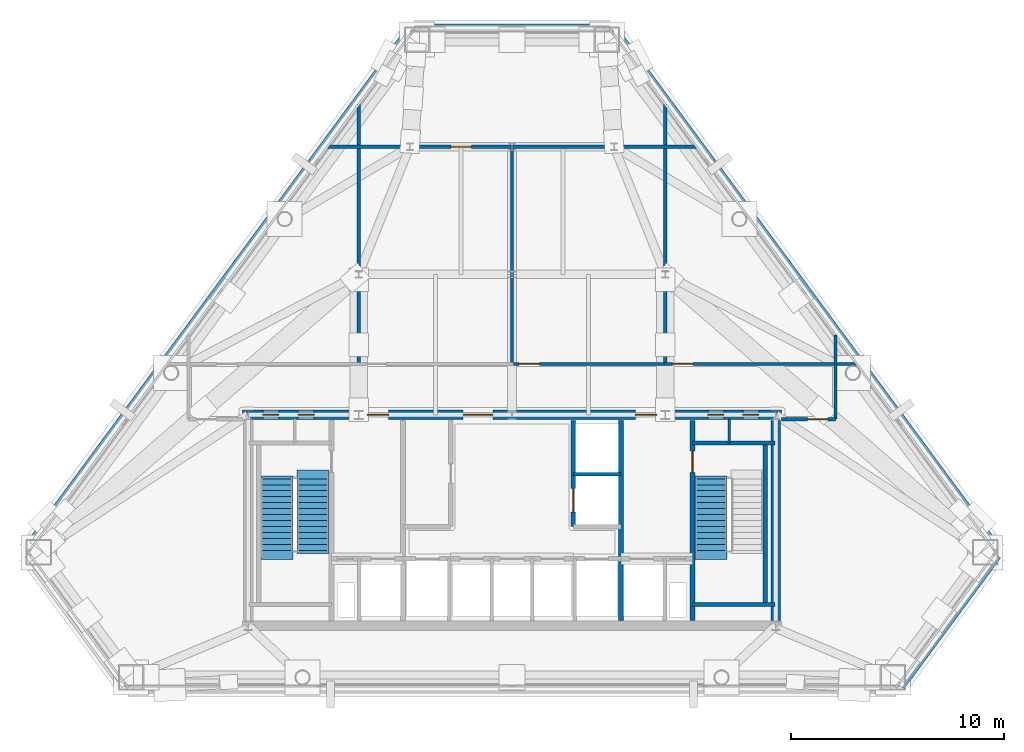
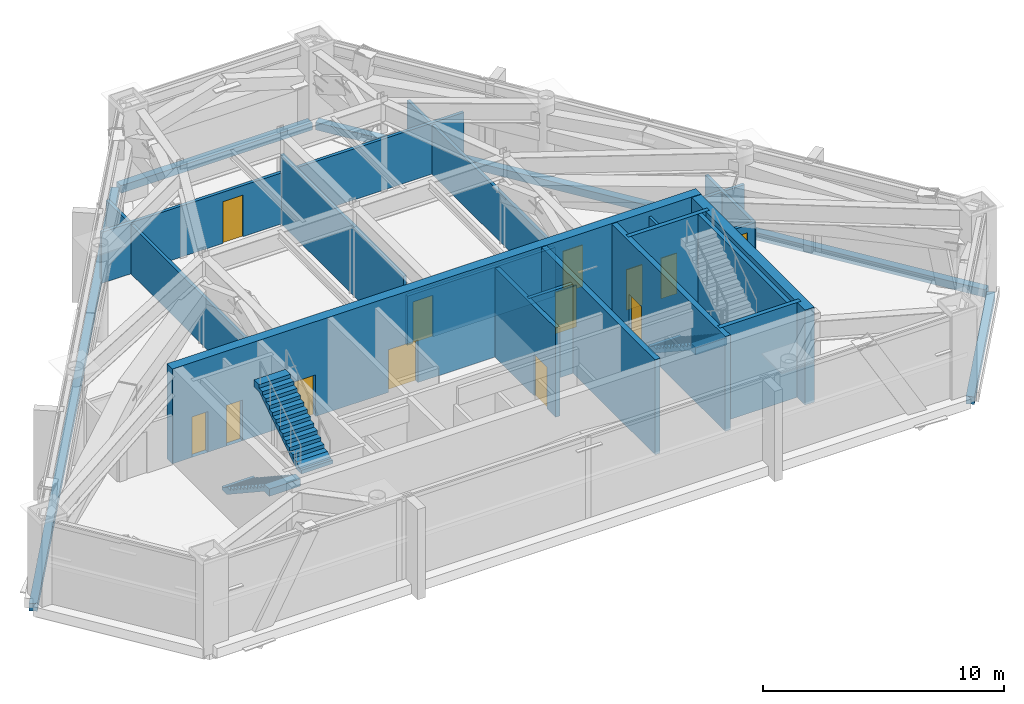
# One storey, part 7 of 10: 23 walls, 13 doors, 3 stair flights, 13 openings, 2 elements without a shape of their own.
"""IFC4 building model written with IfcOpenShell, lengths in metres."""

from ifc_helpers import new_model, si_unit, direction, frame, frame_2d, origin, place, context, subcontext, project, spatial, polyline, rectangle, outline, extrude, material, layer, layer_set, type_object, element, fill, aggregate, save


model = new_model("IFC4")

# Units and contexts
model_context = context("Model", 3, precision=1e-05, world=origin(), true_north=direction((0.0, 1.0)))
body_context = subcontext(model_context, "Body", "Model", "MODEL_VIEW")
ifc_project = project(units=[si_unit("LENGTHUNIT", "METRE"), si_unit("AREAUNIT", "SQUARE_METRE"), si_unit("VOLUMEUNIT", "CUBIC_METRE"), si_unit("PLANEANGLEUNIT", "RADIAN"), si_unit("MASSUNIT", "GRAM", prefix="KILO")], contexts=[model_context])

# Site, building, storey
site_placement = place(None, origin())
site = spatial("IfcSite", under=ifc_project, at=site_placement, CompositionType="ELEMENT")
building_placement = place(site_placement, origin())
building = spatial("IfcBuilding", under=site, at=building_placement, Name="Talgorran Terracotta Tower", CompositionType="ELEMENT")
storey_placement = place(building_placement, frame((0.0, 0.0, 168.89990234375)))
storey = spatial("IfcBuildingStorey", under=building, at=storey_placement, Name="L44", CompositionType="ELEMENT", Elevation=168.89990234375)

# Walls
ifc_material_1 = material(Name="Concrete C50/60", Category="concrete")
ifc_layer_1 = layer(ifc_material_1, 0.199951171875, Name="WT_CORE_200")
ifc_layer_set_1 = layer_set([ifc_layer_1], Name="Concrete C50/60")
wall_type_1 = type_object("IfcWallType", Name="WT_CORE_200", PredefinedType="SOLIDWALL", material=ifc_layer_set_1)
for number, where, z_axis, x_axis, name in (
    (1, (8.47998046875, -5.52001953125, 0.0), (0.0, 0.0, 1.0), (1.0, 0.0, 0.0), "WL-L44-CW-ST2-N"),
    (2, (8.47998046875, -13.10009765625, 0.0), (0.0, 0.0, 1.0), (1.0, 0.0, 0.0), "WL-L44-CW-ST2-S"),
):
    element("IfcWall", number, at=place(storey_placement, frame(where, z_axis=z_axis, x_axis=x_axis)), inside=storey, type_object=wall_type_1, Name=name, PredefinedType="SOLIDWALL", context=body_context, shape_type="SweptSolid", body=[
        extrude(rectangle(XDim=3.8701171875, YDim=0.199951171875, at=frame_2d((1.93505859375, 0.0))), origin(), (0.0, 0.0, 1.0), 4.800048828125),
    ])
wall_1_placement = place(storey_placement, frame((11.89990234375, -13.10009765625, 0.0), z_axis=(0.0, 0.0, 1.0), x_axis=(0.0, 1.0, 0.0)))
element("IfcWall", 3, at=wall_1_placement, inside=storey, type_object=wall_type_1, Name="WL-L44-CW-ST2-E", PredefinedType="SOLIDWALL", context=body_context, shape_type="SweptSolid", body=[
    extrude(rectangle(XDim=7.580078125, YDim=0.199951171875, at=frame_2d((3.7900390625, 0.0))), origin(), (0.0, 0.0, 1.0), 4.800048828125),
])

# Wall, opening, door
wall_2_placement = place(storey_placement, frame((2.8798828125, -9.449951171875, 0.0), z_axis=(0.0, 0.0, 1.0), x_axis=(0.0, 1.0, 0.0)))
wall_2 = element("IfcWall", 4, at=wall_2_placement, inside=storey, type_object=wall_type_1, Name="WL-L44-CW-V-E3", PredefinedType="SOLIDWALL", context=body_context, shape_type="SweptSolid", body=[
    extrude(rectangle(XDim=5.0, YDim=0.199951171875, at=frame_2d((2.5, 0.0))), origin(), (0.0, 0.0, 1.0), 4.52001953125),
])
opening_1_placement = place(wall_2_placement, frame((0.699951171875, 0.0, 0.0)))
opening_1 = element("IfcOpeningElement", 5, at=opening_1_placement, cuts=wall_2, Name="Opening LD-PLM1", PredefinedType="OPENING", context=body_context, shape_type="SweptSolid", body=[
    extrude(rectangle(XDim=1.10609765625, YDim=2.10409765625, at=frame_2d((0.550048828125, 1.052001953125))), frame((0.0, 0.10986328125, 0.0), z_axis=(0.0, -1.0, 0.0), x_axis=(1.0, 0.0, 0.0)), (0.0, 0.0, 1.0), 0.219970703125),
])
ifc_material_2 = material(Name="Brushed Stainless Steel Grade 304", Category="steel")
door_type_1 = type_object("IfcDoorType", Name="DT_LIFT_LD1100", OperationType="DOUBLE_DOOR_SLIDING", PredefinedType="DOOR", material=ifc_material_2)
door_1_placement = place(opening_1_placement, origin())
door_1 = element("IfcDoor", 6, at=door_1_placement, inside=storey, type_object=door_type_1, Name="L44 Lift Landing Door LD-PLM1", OperationType="DOUBLE_DOOR_SLIDING", OverallHeight=2.10009765625, OverallWidth=1.10009765625, PredefinedType="DOOR", context=body_context, shape_type="SweptSolid", body=[
    extrude(rectangle(XDim=1.10009765625, YDim=2.10009765625, at=frame_2d((0.550048828125, 1.050048828125))), frame((0.0, 0.02490234375, 0.0), z_axis=(0.0, -1.0, 0.0), x_axis=(1.0, 0.0, 0.0)), (0.0, 0.0, 1.0), 0.050048828125),
])
fill(opening_1, door_1)

ifc_layer_2 = layer(ifc_material_1, 0.25, Name="WT_CORE_250")
ifc_layer_set_2 = layer_set([ifc_layer_2], Name="Concrete C50/60")
wall_type_2 = type_object("IfcWallType", Name="WT_CORE_250", PredefinedType="SHEAR", material=ifc_layer_set_2)
wall_3_placement = place(storey_placement, frame((8.47998046875, -13.85009765625, 0.0), z_axis=(0.0, 0.0, 1.0), x_axis=(0.0, 1.0, 0.0)))
wall_3 = element("IfcWall", 7, at=wall_3_placement, inside=storey, type_object=wall_type_2, Name="WL-L44-CW-V-E1", PredefinedType="SHEAR", context=body_context, shape_type="SweptSolid", body=[
    extrude(rectangle(XDim=9.400146484375, YDim=0.25, at=frame_2d((4.7001953125, 0.0))), origin(), (0.0, 0.0, 1.0), 4.800048828125),
])
opening_2_placement = place(wall_3_placement, frame((6.949951171875, 0.0, 0.0)))
opening_2 = element("IfcOpeningElement", 8, at=opening_2_placement, cuts=wall_3, Name="Opening DR-ST02", PredefinedType="OPENING", context=body_context, shape_type="SweptSolid", body=[
    extrude(rectangle(XDim=1.006, YDim=2.10409765625, at=frame_2d((0.5, 1.052001953125))), frame((0.0, 0.135009765625, 0.0), z_axis=(0.0, -1.0, 0.0), x_axis=(1.0, 0.0, 0.0)), (0.0, 0.0, 1.0), 0.27001953125),
])
ifc_material_3 = material(Name="Fire-Rated Pressed Steel", Category="steel")
door_type_2 = type_object("IfcDoorType", Name="DT_FIRE_1000", OperationType="NOTDEFINED", PredefinedType="DOOR", material=ifc_material_3)
door_2_placement = place(opening_2_placement, origin())
door_2 = element("IfcDoor", 9, at=door_2_placement, inside=storey, type_object=door_type_2, Name="DR-ST02", OperationType="SINGLE_SWING_RIGHT", OverallHeight=2.10009765625, OverallWidth=1.0, PredefinedType="DOOR", context=body_context, shape_type="SweptSolid", body=[
    extrude(rectangle(XDim=1.0, YDim=2.10009765625, at=frame_2d((0.5, 1.050048828125))), frame((0.0, 0.02490234375, 0.0), z_axis=(0.0, -1.0, 0.0), x_axis=(1.0, 0.0, 0.0)), (0.0, 0.0, 1.0), 0.050048828125),
])
fill(opening_2, door_2)

# Wall
wall_4_placement = place(storey_placement, frame((5.1201171875, -13.85009765625, 0.0), z_axis=(0.0, 0.0, 1.0), x_axis=(0.0, 1.0, 0.0)))
element("IfcWall", 10, at=wall_4_placement, inside=storey, type_object=wall_type_2, Name="WL-L44-CW-V-E2", PredefinedType="SHEAR", context=body_context, shape_type="SweptSolid", body=[
    extrude(rectangle(XDim=9.400146484375, YDim=0.25, at=frame_2d((4.7001953125, 0.0))), origin(), (0.0, 0.0, 1.0), 4.800048828125),
])

# Wall, openings, doors
ifc_material_4 = material(Name="Concrete C65/80", Category="concrete")
ifc_layer_3 = layer(ifc_material_4, 0.449951171875, Name="WT_CORE_EXT")
ifc_layer_set_3 = layer_set([ifc_layer_3], Name="Concrete C65/80")
wall_type_3 = type_object("IfcWallType", Name="WT_CORE_EXT", PredefinedType="SHEAR", material=ifc_layer_set_3)
wall_5_placement = place(storey_placement, frame((-12.64990234375, -4.199951171875, 0.0), z_axis=(0.0, 0.0, 1.0), x_axis=(1.0, 0.0, 0.0)))
wall_5 = element("IfcWall", 11, at=wall_5_placement, inside=storey, type_object=wall_type_3, Name="WL-L44-CW-OUT-N", PredefinedType="SHEAR", context=body_context, shape_type="SweptSolid", body=[
    extrude(rectangle(XDim=25.2998046875, YDim=0.449951171875, at=frame_2d((12.64990234375, 0.0))), origin(), (0.0, 0.0, 1.0), 4.800048828125),
])
opening_3_placement = place(wall_5_placement, frame((0.949951171875, 0.0, 0.0)))
opening_3 = element("IfcOpeningElement", 12, at=opening_3_placement, cuts=wall_5, Name="Opening DR-CSN1", PredefinedType="OPENING", context=body_context, shape_type="SweptSolid", body=[
    extrude(rectangle(XDim=0.756, YDim=2.054048828125, at=frame_2d((0.375, 1.027099609375))), frame((0.0, 0.23486328125, 0.0), z_axis=(0.0, -1.0, 0.0), x_axis=(1.0, 0.0, 0.0)), (0.0, 0.0, 1.0), 0.469970703125),
])
opening_4_placement = place(wall_5_placement, frame((2.60009765625, 0.0, 0.0)))
opening_4 = element("IfcOpeningElement", 13, at=opening_4_placement, cuts=wall_5, Name="Opening DR-CSN2", PredefinedType="OPENING", context=body_context, shape_type="SweptSolid", body=[
    extrude(rectangle(XDim=0.756, YDim=2.054048828125, at=frame_2d((0.375, 1.027099609375))), frame((0.0, 0.23486328125, 0.0), z_axis=(0.0, -1.0, 0.0), x_axis=(1.0, 0.0, 0.0)), (0.0, 0.0, 1.0), 0.469970703125),
])
opening_5_placement = place(wall_5_placement, frame((21.85009765625, 0.0, 0.0)))
opening_5 = element("IfcOpeningElement", 14, at=opening_5_placement, cuts=wall_5, Name="Opening DR-CSN3", PredefinedType="OPENING", context=body_context, shape_type="SweptSolid", body=[
    extrude(rectangle(XDim=0.756, YDim=2.054048828125, at=frame_2d((0.375, 1.027099609375))), frame((0.0, 0.23486328125, 0.0), z_axis=(0.0, -1.0, 0.0), x_axis=(1.0, 0.0, 0.0)), (0.0, 0.0, 1.0), 0.469970703125),
])
opening_6_placement = place(wall_5_placement, frame((23.5, 0.0, 0.0)))
opening_6 = element("IfcOpeningElement", 15, at=opening_6_placement, cuts=wall_5, Name="Opening DR-CSN4", PredefinedType="OPENING", context=body_context, shape_type="SweptSolid", body=[
    extrude(rectangle(XDim=0.756, YDim=2.054048828125, at=frame_2d((0.375, 1.027099609375))), frame((0.0, 0.23486328125, 0.0), z_axis=(0.0, -1.0, 0.0), x_axis=(1.0, 0.0, 0.0)), (0.0, 0.0, 1.0), 0.469970703125),
])
opening_7_placement = place(wall_5_placement, frame((5.85009765625, 0.0, 0.0)))
opening_7 = element("IfcOpeningElement", 16, at=opening_7_placement, cuts=wall_5, Name="Opening DR-FFLW-N", PredefinedType="OPENING", context=body_context, shape_type="SweptSolid", body=[
    extrude(rectangle(XDim=1.006, YDim=2.10409765625, at=frame_2d((0.5, 1.052001953125))), frame((0.0, 0.23486328125, 0.0), z_axis=(0.0, -1.0, 0.0), x_axis=(1.0, 0.0, 0.0)), (0.0, 0.0, 1.0), 0.469970703125),
])
opening_8_placement = place(wall_5_placement, frame((10.35009765625, 0.0, 0.0)))
opening_8 = element("IfcOpeningElement", 17, at=opening_8_placement, cuts=wall_5, Name="Opening DR-PLL-N", PredefinedType="OPENING", context=body_context, shape_type="SweptSolid", body=[
    extrude(rectangle(XDim=1.40590234375, YDim=2.15390234375, at=frame_2d((0.699951171875, 1.076904296875))), frame((0.0, 0.23486328125, 0.0), z_axis=(0.0, -1.0, 0.0), x_axis=(1.0, 0.0, 0.0)), (0.0, 0.0, 1.0), 0.469970703125),
])
opening_9_placement = place(wall_5_placement, frame((18.449951171875, 0.0, 0.0)))
opening_9 = element("IfcOpeningElement", 18, at=opening_9_placement, cuts=wall_5, Name="Opening DR-FFLE-N", PredefinedType="OPENING", context=body_context, shape_type="SweptSolid", body=[
    extrude(rectangle(XDim=1.006, YDim=2.10409765625, at=frame_2d((0.5, 1.052001953125))), frame((0.0, 0.23486328125, 0.0), z_axis=(0.0, -1.0, 0.0), x_axis=(1.0, 0.0, 0.0)), (0.0, 0.0, 1.0), 0.469970703125),
])
ifc_material_5 = material(Name="Acoustic Glazed Timber", Category="wood")
door_type_3 = type_object("IfcDoorType", Name="DT_DOUBLE_1400", OperationType="DOUBLE_DOOR_SINGLE_SWING", PredefinedType="DOOR", material=ifc_material_5)
door_3_placement = place(opening_8_placement, origin())
door_3 = element("IfcDoor", 19, at=door_3_placement, inside=storey, type_object=door_type_3, Name="DR-PLL-N", OperationType="DOUBLE_DOOR_SINGLE_SWING", OverallHeight=2.14990234375, OverallWidth=1.39990234375, PredefinedType="DOOR", context=body_context, shape_type="SweptSolid", body=[
    extrude(rectangle(XDim=1.39990234375, YDim=2.14990234375, at=frame_2d((0.699951171875, 1.074951171875))), frame((0.0, 0.02490234375, 0.0), z_axis=(0.0, -1.0, 0.0), x_axis=(1.0, 0.0, 0.0)), (0.0, 0.0, 1.0), 0.050048828125),
])
fill(opening_8, door_3)
door_4_placement = place(opening_7_placement, origin())
door_4 = element("IfcDoor", 20, at=door_4_placement, inside=storey, type_object=door_type_2, Name="DR-FFLW-N", OperationType="SINGLE_SWING_LEFT", OverallHeight=2.10009765625, OverallWidth=1.0, PredefinedType="DOOR", context=body_context, shape_type="SweptSolid", body=[
    extrude(rectangle(XDim=1.0, YDim=2.10009765625, at=frame_2d((0.5, 1.050048828125))), frame((0.0, 0.02490234375, 0.0), z_axis=(0.0, -1.0, 0.0), x_axis=(1.0, 0.0, 0.0)), (0.0, 0.0, 1.0), 0.050048828125),
])
fill(opening_7, door_4)
door_5_placement = place(opening_9_placement, origin())
door_5 = element("IfcDoor", 21, at=door_5_placement, inside=storey, type_object=door_type_2, Name="DR-FFLE-N", OperationType="SINGLE_SWING_RIGHT", OverallHeight=2.10009765625, OverallWidth=1.0, PredefinedType="DOOR", context=body_context, shape_type="SweptSolid", body=[
    extrude(rectangle(XDim=1.0, YDim=2.10009765625, at=frame_2d((0.5, 1.050048828125))), frame((0.0, 0.02490234375, 0.0), z_axis=(0.0, -1.0, 0.0), x_axis=(1.0, 0.0, 0.0)), (0.0, 0.0, 1.0), 0.050048828125),
])
fill(opening_9, door_5)
door_type_4 = type_object("IfcDoorType", Name="DT_RISER_750", OperationType="NOTDEFINED", PredefinedType="DOOR", material=ifc_material_3)
door_6_placement = place(opening_3_placement, origin())
door_6 = element("IfcDoor", 22, at=door_6_placement, inside=storey, type_object=door_type_4, Name="DR-CSN1", OperationType="SINGLE_SWING_LEFT", OverallHeight=2.050048828125, OverallWidth=0.75, PredefinedType="DOOR", context=body_context, shape_type="SweptSolid", body=[
    extrude(rectangle(XDim=0.75, YDim=2.050048828125, at=frame_2d((0.375, 1.02490234375))), frame((0.0, 0.02490234375, 0.0), z_axis=(0.0, -1.0, 0.0), x_axis=(1.0, 0.0, 0.0)), (0.0, 0.0, 1.0), 0.050048828125),
])
fill(opening_3, door_6)
door_7_placement = place(opening_4_placement, origin())
door_7 = element("IfcDoor", 23, at=door_7_placement, inside=storey, type_object=door_type_4, Name="DR-CSN2", OperationType="SINGLE_SWING_RIGHT", OverallHeight=2.050048828125, OverallWidth=0.75, PredefinedType="DOOR", context=body_context, shape_type="SweptSolid", body=[
    extrude(rectangle(XDim=0.75, YDim=2.050048828125, at=frame_2d((0.375, 1.02490234375))), frame((0.0, 0.02490234375, 0.0), z_axis=(0.0, -1.0, 0.0), x_axis=(1.0, 0.0, 0.0)), (0.0, 0.0, 1.0), 0.050048828125),
])
fill(opening_4, door_7)
door_8_placement = place(opening_5_placement, origin())
door_8 = element("IfcDoor", 24, at=door_8_placement, inside=storey, type_object=door_type_4, Name="DR-CSN3", OperationType="SINGLE_SWING_LEFT", OverallHeight=2.050048828125, OverallWidth=0.75, PredefinedType="DOOR", context=body_context, shape_type="SweptSolid", body=[
    extrude(rectangle(XDim=0.75, YDim=2.050048828125, at=frame_2d((0.375, 1.02490234375))), frame((0.0, 0.02490234375, 0.0), z_axis=(0.0, -1.0, 0.0), x_axis=(1.0, 0.0, 0.0)), (0.0, 0.0, 1.0), 0.050048828125),
])
fill(opening_5, door_8)
door_9_placement = place(opening_6_placement, origin())
door_9 = element("IfcDoor", 25, at=door_9_placement, inside=storey, type_object=door_type_4, Name="DR-CSN4", OperationType="SINGLE_SWING_RIGHT", OverallHeight=2.050048828125, OverallWidth=0.75, PredefinedType="DOOR", context=body_context, shape_type="SweptSolid", body=[
    extrude(rectangle(XDim=0.75, YDim=2.050048828125, at=frame_2d((0.375, 1.02490234375))), frame((0.0, 0.02490234375, 0.0), z_axis=(0.0, -1.0, 0.0), x_axis=(1.0, 0.0, 0.0)), (0.0, 0.0, 1.0), 0.050048828125),
])
fill(opening_6, door_9)

# Walls
wall_6_placement = place(storey_placement, frame((12.39990234375, -13.85009765625, 0.0), z_axis=(0.0, 0.0, 1.0), x_axis=(0.0, 1.0, 0.0)))
element("IfcWall", 26, at=wall_6_placement, inside=storey, type_object=wall_type_3, Name="WL-L44-CW-OUT-E", PredefinedType="SHEAR", context=body_context, shape_type="SweptSolid", body=[
    extrude(rectangle(XDim=9.400146484375, YDim=0.449951171875, at=frame_2d((4.7001953125, 0.0))), origin(), (0.0, 0.0, 1.0), 4.800048828125),
])
ifc_material_6 = material(Name="Fire-Rated Steel Stud Plasterboard", Category="steel")
ifc_layer_4 = layer(ifc_material_6, 0.14990234375, Name="WT_FIRE_150")
ifc_layer_set_4 = layer_set([ifc_layer_4], Name="Fire-Rated Steel Stud Plasterboard")
wall_type_4 = type_object("IfcWallType", Name="WT_FIRE_150", PredefinedType="PARTITIONING", material=ifc_layer_set_4)
for number, where, z_axis, x_axis, name in (
    (27, (-7.199951171875, -1.800048828125, 0.0), (0.0, 0.0, 1.0), (0.0, 1.0, 0.0), "WL-L44-W-L44-R09"),
    (28, (7.199951171875, -1.800048828125, 0.0), (0.0, 0.0, 1.0), (0.0, 1.0, 0.0), "WL-L44-W-L44-R12"),
):
    element("IfcWall", number, at=place(storey_placement, frame(where, z_axis=z_axis, x_axis=x_axis)), inside=storey, type_object=wall_type_4, Name=name, PredefinedType="PARTITIONING", context=body_context, shape_type="SweptSolid", body=[
        extrude(rectangle(XDim=12.19140625, YDim=0.14990234375, at=frame_2d((6.095703125, 0.0))), origin(), (0.0, 0.0, 1.0), 2.485107421875),
    ])
wall_7_placement = place(storey_placement, frame((0.0, -1.800048828125, 0.0), z_axis=(0.0, 0.0, 1.0), x_axis=(0.0, 1.0, 0.0)))
element("IfcWall", 29, at=wall_7_placement, inside=storey, type_object=wall_type_4, Name="WL-L44-W-L44-R10", PredefinedType="PARTITIONING", context=body_context, shape_type="SweptSolid", body=[
    extrude(rectangle(XDim=10.199951171875, YDim=0.14990234375, at=frame_2d((5.10009765625, 0.0))), origin(), (0.0, 0.0, 1.0), 3.4951171875),
])

# Wall, opening, door
wall_8_placement = place(storey_placement, frame((7.139892578125, -1.800048828125, 0.0), z_axis=(0.0, 0.0, 1.0), x_axis=(1.0, 0.0, 0.0)))
wall_8 = element("IfcWall", 30, at=wall_8_placement, inside=storey, type_object=wall_type_4, Name="WL-L44-W-L44-R08", PredefinedType="PARTITIONING", context=body_context, shape_type="SweptSolid", body=[
    extrude(rectangle(XDim=9.05712890625, YDim=0.14990234375, at=frame_2d((4.528564453125, 0.0))), origin(), (0.0, 0.0, 1.0), 2.485107421875),
])
opening_10_placement = place(wall_8_placement, frame((0.399658203125, 0.0, 0.0)))
opening_10 = element("IfcOpeningElement", 31, at=opening_10_placement, cuts=wall_8, Name="Opening DR-L44-R06", PredefinedType="OPENING", context=body_context, shape_type="SweptSolid", body=[
    extrude(rectangle(XDim=0.955951171875, YDim=2.10409765625, at=frame_2d((0.47509765625, 1.052001953125))), frame((0.0, 0.0849609375, 0.0), z_axis=(0.0, -1.0, 0.0), x_axis=(1.0, 0.0, 0.0)), (0.0, 0.0, 1.0), 0.169921875),
])
ifc_material_7 = material(Name="Fire-Rated Timber Core", Category="wood")
door_type_5 = type_object("IfcDoorType", Name="DT_FIRE_950", OperationType="NOTDEFINED", PredefinedType="DOOR", material=ifc_material_7)
door_10_placement = place(opening_10_placement, origin())
door_10 = element("IfcDoor", 32, at=door_10_placement, inside=storey, type_object=door_type_5, Name="DR-L44-R06", OperationType="SINGLE_SWING_RIGHT", OverallHeight=2.10009765625, OverallWidth=0.949951171875, PredefinedType="DOOR", context=body_context, shape_type="SweptSolid", body=[
    extrude(rectangle(XDim=0.949951171875, YDim=2.10009765625, at=frame_2d((0.47509765625, 1.050048828125))), frame((0.0, 0.02490234375, 0.0), z_axis=(0.0, -1.0, 0.0), x_axis=(1.0, 0.0, 0.0)), (0.0, 0.0, 1.0), 0.050048828125),
])
fill(opening_10, door_10)

wall_9_placement = place(storey_placement, frame((-8.669677734375, 8.39990234375, 0.0), z_axis=(0.0, 0.0, 1.0), x_axis=(1.0, 0.0, 0.0)))
wall_9 = element("IfcWall", 33, at=wall_9_placement, inside=storey, type_object=wall_type_4, Name="WL-L44-W-L44-R11", PredefinedType="PARTITIONING", context=body_context, shape_type="SweptSolid", body=[
    extrude(rectangle(XDim=8.669677734375, YDim=0.14990234375, at=frame_2d((4.3349609375, 0.0))), origin(), (0.0, 0.0, 1.0), 2.585205078125),
])
opening_11_placement = place(wall_9_placement, frame((5.80859375, 0.0, 0.0)))
opening_11 = element("IfcOpeningElement", 34, at=opening_11_placement, cuts=wall_9, Name="Opening DR-L44-R07", PredefinedType="OPENING", context=body_context, shape_type="SweptSolid", body=[
    extrude(rectangle(XDim=0.955951171875, YDim=2.10409765625, at=frame_2d((0.47509765625, 1.052001953125))), frame((0.0, 0.0849609375, 0.0), z_axis=(0.0, -1.0, 0.0), x_axis=(1.0, 0.0, 0.0)), (0.0, 0.0, 1.0), 0.169921875),
])
door_11_placement = place(opening_11_placement, origin())
door_11 = element("IfcDoor", 35, at=door_11_placement, inside=storey, type_object=door_type_5, Name="DR-L44-R07", OperationType="SINGLE_SWING_LEFT", OverallHeight=2.10009765625, OverallWidth=0.949951171875, PredefinedType="DOOR", context=body_context, shape_type="SweptSolid", body=[
    extrude(rectangle(XDim=0.949951171875, YDim=2.10009765625, at=frame_2d((0.47509765625, 1.050048828125))), frame((0.0, 0.02490234375, 0.0), z_axis=(0.0, -1.0, 0.0), x_axis=(1.0, 0.0, 0.0)), (0.0, 0.0, 1.0), 0.050048828125),
])
fill(opening_11, door_11)

# Wall
wall_10_placement = place(storey_placement, frame((0.0, 8.39990234375, 0.0), z_axis=(0.0, 0.0, 1.0), x_axis=(1.0, 0.0, 0.0)))
element("IfcWall", 36, at=wall_10_placement, inside=storey, type_object=wall_type_4, Name="WL-L44-W-L44-R13", PredefinedType="PARTITIONING", context=body_context, shape_type="SweptSolid", body=[
    extrude(rectangle(XDim=8.669677734375, YDim=0.14990234375, at=frame_2d((4.3349609375, 0.0))), origin(), (0.0, 0.0, 1.0), 2.585205078125),
])

# Wall, opening, door
wall_11_placement = place(storey_placement, frame((0.06201171875, -1.800048828125, 0.0), z_axis=(0.0, 0.0, 1.0), x_axis=(1.0, 0.0, 0.0)))
wall_11 = element("IfcWall", 37, at=wall_11_placement, inside=storey, type_object=wall_type_4, Name="WL-L44-W-L44-R07", PredefinedType="PARTITIONING", context=body_context, shape_type="SweptSolid", body=[
    extrude(rectangle(XDim=7.075927734375, YDim=0.14990234375, at=frame_2d((3.5380859375, 0.0))), origin(), (0.0, 0.0, 1.0), 2.485107421875),
])
opening_12_placement = place(wall_11_placement, frame((0.276611328125, 0.0, 0.0)))
opening_12 = element("IfcOpeningElement", 38, at=opening_12_placement, cuts=wall_11, Name="Opening DR-L44-R05", PredefinedType="OPENING", context=body_context, shape_type="SweptSolid", body=[
    extrude(rectangle(XDim=0.955951171875, YDim=2.10409765625, at=frame_2d((0.47509765625, 1.052001953125))), frame((0.0, 0.0849609375, 0.0), z_axis=(0.0, -1.0, 0.0), x_axis=(1.0, 0.0, 0.0)), (0.0, 0.0, 1.0), 0.169921875),
])
door_12_placement = place(opening_12_placement, origin())
door_12 = element("IfcDoor", 39, at=door_12_placement, inside=storey, type_object=door_type_5, Name="DR-L44-R05", OperationType="SINGLE_SWING_LEFT", OverallHeight=2.10009765625, OverallWidth=0.949951171875, PredefinedType="DOOR", context=body_context, shape_type="SweptSolid", body=[
    extrude(rectangle(XDim=0.949951171875, YDim=2.10009765625, at=frame_2d((0.47509765625, 1.050048828125))), frame((0.0, 0.02490234375, 0.0), z_axis=(0.0, -1.0, 0.0), x_axis=(1.0, 0.0, 0.0)), (0.0, 0.0, 1.0), 0.050048828125),
])
fill(opening_12, door_12)

# Wall
wall_12_placement = place(storey_placement, frame((15.199951171875, -4.39990234375, 0.0), z_axis=(0.0, 0.0, 1.0), x_axis=(0.0, 1.0, 0.0)))
element("IfcWall", 40, at=wall_12_placement, inside=storey, type_object=wall_type_4, Name="WL-L44-W-L44-R04", PredefinedType="PARTITIONING", context=body_context, shape_type="SweptSolid", body=[
    extrude(rectangle(XDim=3.95068359375, YDim=0.14990234375, at=frame_2d((1.975341796875, 0.0))), origin(), (0.0, 0.0, 1.0), 2.485107421875),
])

# Wall, opening, door
wall_13_placement = place(storey_placement, frame((12.652099609375, -4.39990234375, 0.0), z_axis=(0.0, 0.0, 1.0), x_axis=(1.0, 0.0, 0.0)))
wall_13 = element("IfcWall", 41, at=wall_13_placement, inside=storey, type_object=wall_type_4, Name="WL-L44-W-L44-R03", PredefinedType="PARTITIONING", context=body_context, shape_type="SweptSolid", body=[
    extrude(rectangle(XDim=2.5478515625, YDim=0.14990234375, at=frame_2d((1.27392578125, 0.0))), origin(), (0.0, 0.0, 1.0), 2.485107421875),
])
opening_13_placement = place(wall_13_placement, frame((1.23974609375, 0.0, 0.0)))
opening_13 = element("IfcOpeningElement", 42, at=opening_13_placement, cuts=wall_13, Name="Opening DR-L44-R02", PredefinedType="OPENING", context=body_context, shape_type="SweptSolid", body=[
    extrude(rectangle(XDim=0.955951171875, YDim=2.10409765625, at=frame_2d((0.47509765625, 1.052001953125))), frame((0.0, 0.0849609375, 0.0), z_axis=(0.0, -1.0, 0.0), x_axis=(1.0, 0.0, 0.0)), (0.0, 0.0, 1.0), 0.169921875),
])
door_13_placement = place(opening_13_placement, origin())
door_13 = element("IfcDoor", 43, at=door_13_placement, inside=storey, type_object=door_type_5, Name="DR-L44-R02", OperationType="SINGLE_SWING_RIGHT", OverallHeight=2.10009765625, OverallWidth=0.949951171875, PredefinedType="DOOR", context=body_context, shape_type="SweptSolid", body=[
    extrude(rectangle(XDim=0.949951171875, YDim=2.10009765625, at=frame_2d((0.47509765625, 1.050048828125))), frame((0.0, 0.02490234375, 0.0), z_axis=(0.0, -1.0, 0.0), x_axis=(1.0, 0.0, 0.0)), (0.0, 0.0, 1.0), 0.050048828125),
])
fill(opening_13, door_13)

# Walls
ifc_material_8 = material(Name="Concrete C40/50", Category="concrete")
ifc_layer_5 = layer(ifc_material_8, 0.219970703125, Name="WT_PARAPET_RC")
ifc_layer_set_5 = layer_set([ifc_layer_5], Name="Concrete C40/50")
wall_type_5 = type_object("IfcWallType", Name="WT_PARAPET_RC", PredefinedType="PARAPET", material=ifc_layer_set_5)
wall_14_placement = place(storey_placement, frame((18.2763671875, -16.960693359375, -0.199951171875), z_axis=(0.0, 0.0, 1.0), x_axis=(0.593789738392, 0.804620249919, 0.0)))
element("IfcWall", 44, at=wall_14_placement, inside=storey, type_object=wall_type_5, Name="L44 Striped Portal Precast Cornice F2", PredefinedType="PARAPET", context=body_context, shape_type="SweptSolid", body=[
    extrude(rectangle(XDim=7.639404296875, YDim=0.360107421875, at=frame_2d((3.81982421875, 0.0))), origin(), (0.0, 0.0, 1.0), 0.380126953125),
])
wall_15_placement = place(storey_placement, frame((22.8125, -10.4951171875, -0.199951171875), z_axis=(0.0, 0.0, 1.0), x_axis=(-0.593788907914, 0.804620862791, 0.0)))
element("IfcWall", 45, at=wall_15_placement, inside=storey, type_object=wall_type_5, Name="L44 Striped Portal Precast Cornice F3", PredefinedType="PARAPET", context=body_context, shape_type="SweptSolid", body=[
    extrude(rectangle(XDim=30.275634765625, YDim=0.360107421875, at=frame_2d((15.1376953125, 0.0))), origin(), (0.0, 0.0, 1.0), 0.380126953125),
])
wall_16_placement = place(storey_placement, frame((4.5791015625, 13.99462890625, -0.199951171875), z_axis=(0.0, 0.0, 1.0), x_axis=(-1.0, 0.0, 0.0)))
element("IfcWall", 46, at=wall_16_placement, inside=storey, type_object=wall_type_5, Name="L44 Striped Portal Precast Cornice F4", PredefinedType="PARAPET", context=body_context, shape_type="SweptSolid", body=[
    extrude(rectangle(XDim=9.158203125, YDim=0.360107421875, at=frame_2d((4.5791015625, 0.0))), origin(), (0.0, 0.0, 1.0), 0.380126953125),
])
wall_17_placement = place(storey_placement, frame((-4.835205078125, 13.865234375, -0.199951171875), z_axis=(0.0, 0.0, 1.0), x_axis=(-0.593788907914, -0.804620862791, 0.0)))
element("IfcWall", 47, at=wall_17_placement, inside=storey, type_object=wall_type_5, Name="L44 Striped Portal Precast Cornice F5", PredefinedType="PARAPET", context=body_context, shape_type="SweptSolid", body=[
    extrude(rectangle(XDim=30.275634765625, YDim=0.360107421875, at=frame_2d((15.1376953125, 0.0))), origin(), (0.0, 0.0, 1.0), 0.380126953125),
])
ifc_material_9 = material(Name="Insulated Steel Stud Plasterboard", Category="steel")
ifc_layer_6 = layer(ifc_material_9, 0.1201171875, Name="WT_PART_120")
ifc_layer_set_6 = layer_set([ifc_layer_6], Name="Insulated Steel Stud Plasterboard")
wall_type_6 = type_object("IfcWallType", Name="WT_PART_120", PredefinedType="PARTITIONING", material=ifc_layer_set_6)
wall_18_placement = place(storey_placement, frame((10.199951171875, -5.52001953125, 0.0), z_axis=(0.0, 0.0, 1.0), x_axis=(0.0, 1.0, 0.0)))
element("IfcWall", 48, at=wall_18_placement, inside=storey, type_object=wall_type_6, Name="WL-L44-CW-CSE-DIV", PredefinedType="PARTITIONING", context=body_context, shape_type="SweptSolid", body=[
    extrude(rectangle(XDim=1.1201171875, YDim=0.1201171875, at=frame_2d((0.56005859375, 0.0))), origin(), (0.0, 0.0, 1.0), 4.52001953125),
])
ifc_material_10 = material(Name="Fire-Rated Shaftwall")
ifc_layer_7 = layer(ifc_material_10, 0.159912109375, Name="WT_PART_150")
ifc_layer_set_7 = layer_set([ifc_layer_7], Name="Fire-Rated Shaftwall")
wall_type_7 = type_object("IfcWallType", Name="WT_PART_150", PredefinedType="PARTITIONING", material=ifc_layer_set_7)
wall_19_placement = place(storey_placement, frame((2.8798828125, -6.97998046875, 0.0), z_axis=(0.0, 0.0, 1.0), x_axis=(1.0, 0.0, 0.0)))
element("IfcWall", 49, at=wall_19_placement, inside=storey, type_object=wall_type_7, Name="WL-L44-CW-PLM-DIV", PredefinedType="PARTITIONING", context=body_context, shape_type="SweptSolid", body=[
    extrude(rectangle(XDim=2.240234375, YDim=0.159912109375, at=frame_2d((1.1201171875, 0.0))), origin(), (0.0, 0.0, 1.0), 4.52001953125),
])

# Stair, stair flights
stair_type = type_object("IfcStairType", Name="ST_FIRE_SCISSOR", PredefinedType="HALF_TURN_STAIR", material=ifc_material_8)
stair_1_placement = place(storey_placement, origin())
stair_1 = element("IfcStair", 50, at=stair_1_placement, inside=storey, type_object=stair_type, Name="L44 West Protected Fire Stair ST-01", PredefinedType="HALF_TURN_STAIR")
ifc_layer_8 = layer(ifc_material_8, 0.179931640625, Name="STF_RC_1500")
ifc_layer_set_8 = layer_set([ifc_layer_8], Name="Concrete C40/50")
stair_flight_type = type_object("IfcStairFlightType", Name="STF_RC_1500", PredefinedType="STRAIGHT", material=ifc_layer_set_8)
stair_flight_1_placement = place(storey_placement, frame((-11.050048828125, -7.199951171875, 0.0), z_axis=(0.0, 0.0, 1.0), x_axis=(0.0, -1.0, 0.0)))
stair_flight_1 = element("IfcStairFlight", 51, at=stair_flight_1_placement, type_object=stair_flight_type, Name="ST-01 flight 1", NumberOfRisers=13, NumberOfTreads=12, PredefinedType="STRAIGHT", RiserHeight=0.184615385, TreadLength=0.28, context=body_context, shape_type="SweptSolid", body=[
    extrude(outline(polyline([(-0.139892578125, 0.0), (-0.139892578125, 0.1845703125), (0.0, 0.1845703125), (0.280029296875, 0.369140625), (0.56005859375, 0.369140625), (0.56005859375, 0.553955078125), (0.840087890625, 0.553955078125), (0.840087890625, 0.738525390625), (1.1201171875, 0.738525390625), (1.1201171875, 0.923095703125), (1.39990234375, 0.923095703125), (1.39990234375, 1.107666015625), (1.679931640625, 1.107666015625), (1.679931640625, 1.292236328125), (1.9599609375, 1.292236328125), (1.9599609375, 1.476806640625), (2.239990234375, 1.476806640625), (2.239990234375, 1.66162109375), (2.52001953125, 1.66162109375), (2.52001953125, 1.84619140625), (2.800048828125, 1.84619140625), (2.800048828125, 2.03076171875), (3.080078125, 2.03076171875), (3.080078125, 2.21533203125), (3.360107421875, 2.21533203125), (3.360107421875, 2.39990234375), (3.780029296875, 2.39990234375), (3.780029296875, 2.035888671875), (3.360107421875, 2.035888671875), (0.272216796875, 0.0), (-0.139892578125, 0.0)])), frame((0.0, 0.75, 0.0), z_axis=(0.0, -1.0, 0.0), x_axis=(1.0, 0.0, 0.0)), (0.0, 0.0, 1.0), 1.5),
])
stair_flight_2_placement = place(storey_placement, frame((-9.35009765625, -10.56005859375, 2.400146484375), z_axis=(0.0, 0.0, 1.0), x_axis=(0.0, 1.0, 0.0)))
stair_flight_2 = element("IfcStairFlight", 52, at=stair_flight_2_placement, type_object=stair_flight_type, Name="ST-01 flight 2", NumberOfRisers=13, NumberOfTreads=12, PredefinedType="STRAIGHT", RiserHeight=0.184615385, TreadLength=0.28, context=body_context, shape_type="SweptSolid", body=[
    extrude(outline(polyline([(-0.139892578125, 0.0), (-0.139892578125, 0.1845703125), (0.0, 0.1845703125), (0.280029296875, 0.369140625), (0.56005859375, 0.369140625), (0.56005859375, 0.553955078125), (0.840087890625, 0.553955078125), (0.840087890625, 0.738525390625), (1.1201171875, 0.738525390625), (1.1201171875, 0.923095703125), (1.39990234375, 0.923095703125), (1.39990234375, 1.107666015625), (1.679931640625, 1.107666015625), (1.679931640625, 1.292236328125), (1.9599609375, 1.292236328125), (1.9599609375, 1.476806640625), (2.239990234375, 1.476806640625), (2.239990234375, 1.66162109375), (2.52001953125, 1.66162109375), (2.52001953125, 1.84619140625), (2.800048828125, 1.84619140625), (2.800048828125, 2.03076171875), (3.080078125, 2.03076171875), (3.080078125, 2.21533203125), (3.360107421875, 2.21533203125), (3.360107421875, 2.39990234375), (3.780029296875, 2.39990234375), (3.780029296875, 2.035888671875), (3.360107421875, 2.035888671875), (0.272216796875, 0.0), (-0.139892578125, 0.0)])), frame((0.0, 0.75, 0.0), z_axis=(0.0, -1.0, 0.0), x_axis=(1.0, 0.0, 0.0)), (0.0, 0.0, 1.0), 1.5),
])
aggregate(stair_1, [stair_flight_1, stair_flight_2])

# Stair, stair flight
stair_2_placement = place(storey_placement, origin())
stair_2 = element("IfcStair", 53, at=stair_2_placement, inside=storey, type_object=stair_type, Name="L44 East Protected Fire Stair ST-02", PredefinedType="HALF_TURN_STAIR")
stair_flight_3_placement = place(storey_placement, frame((9.35009765625, -7.199951171875, 0.0), z_axis=(0.0, 0.0, 1.0), x_axis=(0.0, -1.0, 0.0)))
stair_flight_3 = element("IfcStairFlight", 54, at=stair_flight_3_placement, type_object=stair_flight_type, Name="ST-02 flight 1", NumberOfRisers=13, NumberOfTreads=12, PredefinedType="STRAIGHT", RiserHeight=0.184615385, TreadLength=0.28, context=body_context, shape_type="SweptSolid", body=[
    extrude(outline(polyline([(-0.139892578125, 0.0), (-0.139892578125, 0.1845703125), (0.0, 0.1845703125), (0.280029296875, 0.369140625), (0.56005859375, 0.369140625), (0.56005859375, 0.553955078125), (0.840087890625, 0.553955078125), (0.840087890625, 0.738525390625), (1.1201171875, 0.738525390625), (1.1201171875, 0.923095703125), (1.39990234375, 0.923095703125), (1.39990234375, 1.107666015625), (1.679931640625, 1.107666015625), (1.679931640625, 1.292236328125), (1.9599609375, 1.292236328125), (1.9599609375, 1.476806640625), (2.239990234375, 1.476806640625), (2.239990234375, 1.66162109375), (2.52001953125, 1.66162109375), (2.52001953125, 1.84619140625), (2.800048828125, 1.84619140625), (2.800048828125, 2.03076171875), (3.080078125, 2.03076171875), (3.080078125, 2.21533203125), (3.360107421875, 2.21533203125), (3.360107421875, 2.39990234375), (3.780029296875, 2.39990234375), (3.780029296875, 2.035888671875), (3.360107421875, 2.035888671875), (0.272216796875, 0.0), (-0.139892578125, 0.0)])), frame((0.0, 0.75, 0.0), z_axis=(0.0, -1.0, 0.0), x_axis=(1.0, 0.0, 0.0)), (0.0, 0.0, 1.0), 1.5),
])
aggregate(stair_2, [stair_flight_3])

save(model, "model.ifc")
